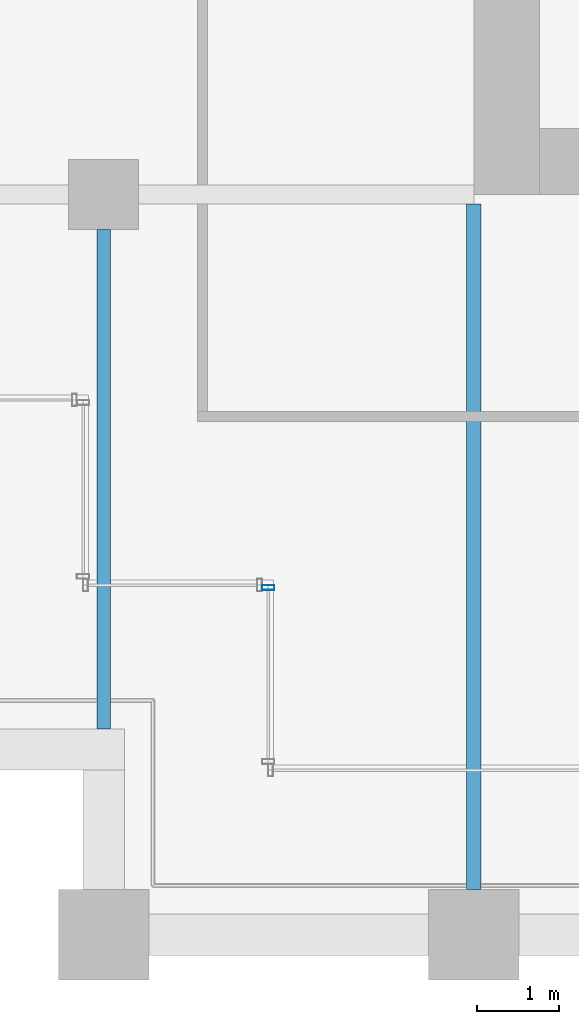
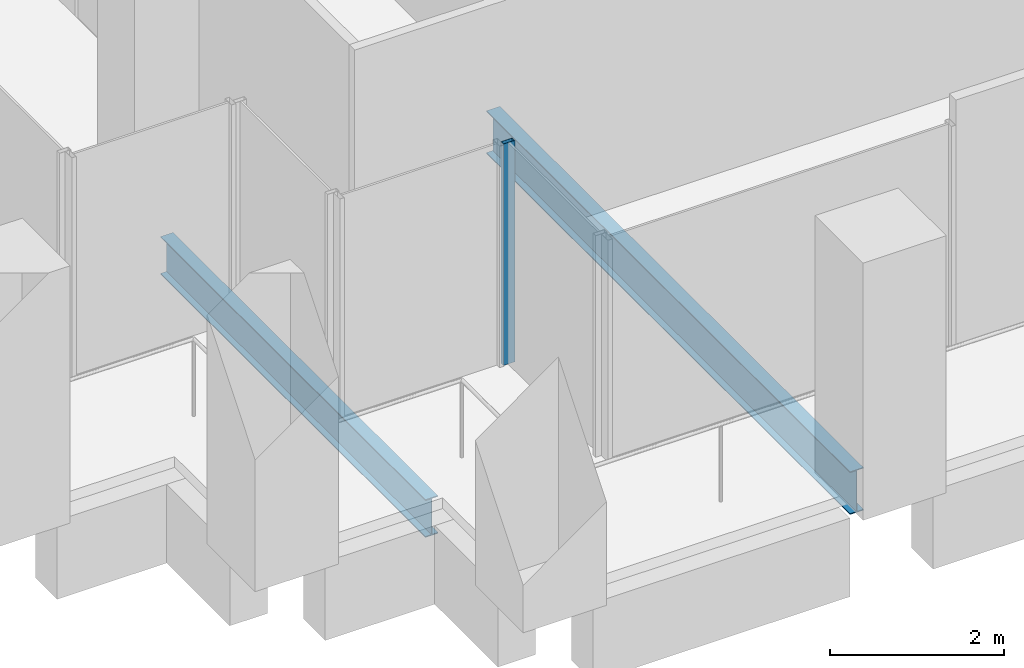
# One storey, part 35 of 54: 2 beams, 1 member, 1 element without a shape of its own.
"""IFC4 building model written with IfcOpenShell, lengths in metres."""

from ifc_helpers import new_model, si_unit, direction, frame, origin, origin_2d, place, context, subcontext, project, spatial, hollow_rectangle, i_section, extrude, material, material_profile, profile_set, type_object, element, aggregate, save


model = new_model("IFC4")

# Units and contexts
model_context = context("Model", 3, precision=1e-05, world=origin(), true_north=direction((0.0, 1.0)))
body_context = subcontext(model_context, "Body", "Model", "MODEL_VIEW")
ifc_project = project(units=[si_unit("LENGTHUNIT", "METRE"), si_unit("AREAUNIT", "SQUARE_METRE"), si_unit("VOLUMEUNIT", "CUBIC_METRE"), si_unit("PLANEANGLEUNIT", "RADIAN"), si_unit("MASSUNIT", "GRAM", prefix="KILO")], contexts=[model_context])

# Site, building, storey
site_placement = place(None, origin())
site = spatial("IfcSite", under=ifc_project, at=site_placement, CompositionType="ELEMENT")
building_placement = place(site_placement, origin())
building = spatial("IfcBuilding", under=site, at=building_placement, Name="Altepetl Exchange Towers", CompositionType="ELEMENT")
storey_placement = place(building_placement, frame((0.0, 0.0, 65.39990234375)))
storey = spatial("IfcBuildingStorey", under=building, at=storey_placement, Name="L15", CompositionType="ELEMENT", Elevation=65.39990234375)

# Beams
ifc_material_1 = material(Name="Steel S355", Category="steel")
ifc_material_profile_1 = material_profile(ifc_material_1, i_section(OverallWidth=0.166015625, OverallDepth=0.529052734375, WebThickness=0.009765625, FlangeThickness=0.013671875, at=origin_2d()), Name="W21X50")
ifc_profile_set_1 = profile_set([ifc_material_profile_1], Name="Steel S355")
beam_type_1 = type_object("IfcBeamType", Name="Floor beam W21X50", PredefinedType="BEAM", material=ifc_profile_set_1)
beam_1_placement = place(storey_placement, frame((99.0, 29.5, -0.414306640625), z_axis=(0.0, 1.0, 0.0), x_axis=(-1.0, 0.0, 0.0)))
element("IfcBeam", 1, at=beam_1_placement, inside=storey, type_object=beam_type_1, Name="bm:B:L15:008", PredefinedType="BEAM", context=body_context, shape_type="SweptSolid", body=[
    extrude(i_section(OverallWidth=0.166015625, OverallDepth=0.529052734375, WebThickness=0.009765625, FlangeThickness=0.013671875, at=origin_2d()), origin(), (0.0, 0.0, 1.0), 6.074951171875),
])
ifc_material_profile_2 = material_profile(ifc_material_1, i_section(OverallWidth=0.177978515625, OverallDepth=0.59912109375, WebThickness=0.010009765625, FlangeThickness=0.0126953125, at=origin_2d()), Name="W24X55")
ifc_profile_set_2 = profile_set([ifc_material_profile_2], Name="Steel S355")
beam_type_2 = type_object("IfcBeamType", Name="Floor beam W24X55", PredefinedType="BEAM", material=ifc_profile_set_2)
beam_2_placement = place(storey_placement, frame((103.5, 27.550048828125, -0.449462890625), z_axis=(0.0, 1.0, 0.0), x_axis=(-1.0, 0.0, 0.0)))
element("IfcBeam", 2, at=beam_2_placement, inside=storey, type_object=beam_type_2, Name="bm:B:L15:009", PredefinedType="BEAM", context=body_context, shape_type="SweptSolid", body=[
    extrude(i_section(OverallWidth=0.177978515625, OverallDepth=0.59912109375, WebThickness=0.010009765625, FlangeThickness=0.0126953125, at=origin_2d()), origin(), (0.0, 0.0, 1.0), 8.3359375),
])

# Curtain wall, member
ifc_material_2 = material(Name="Aluminium 6063-T6 glazing", Category="aluminium")
curtain_wall_type = type_object("IfcCurtainWallType", Name="Loggia glazing system", PredefinedType="NOTDEFINED", material=ifc_material_2)
curtain_wall_placement = place(storey_placement, origin())
curtain_wall = element("IfcCurtainWall", 3, at=curtain_wall_placement, inside=storey, type_object=curtain_wall_type, Name="CW1 run", PredefinedType="NOTDEFINED")
ifc_material_3 = material(Name="Aluminium 6063-T6", Category="aluminium")
ifc_material_profile_3 = material_profile(ifc_material_3, hollow_rectangle(XDim=0.06005859375, YDim=0.14990234375, WallThickness=0.0029296875, at=origin_2d()), Name="Mullion 60x150 aluminium")
ifc_profile_set_3 = profile_set([ifc_material_profile_3], Name="Aluminium 6063-T6")
member_type = type_object("IfcMemberType", Name="Mullion 60x150 aluminium", PredefinedType="MULLION", material=ifc_profile_set_3)
member_placement = place(storey_placement, frame((101.0, 31.219970703125, 0.0), z_axis=(0.0, 0.0, 1.0), x_axis=(0.0, -1.0, 0.0)))
member = element("IfcMember", 4, at=member_placement, type_object=member_type, Name="MU1 mullion", PredefinedType="MULLION", context=body_context, shape_type="SweptSolid", body=[
    extrude(hollow_rectangle(XDim=0.06005859375, YDim=0.14990234375, WallThickness=0.0029296875, at=origin_2d()), origin(), (0.0, 0.0, 1.0), 3.10009765625),
])
aggregate(curtain_wall, [member])

save(model, "model.ifc")
